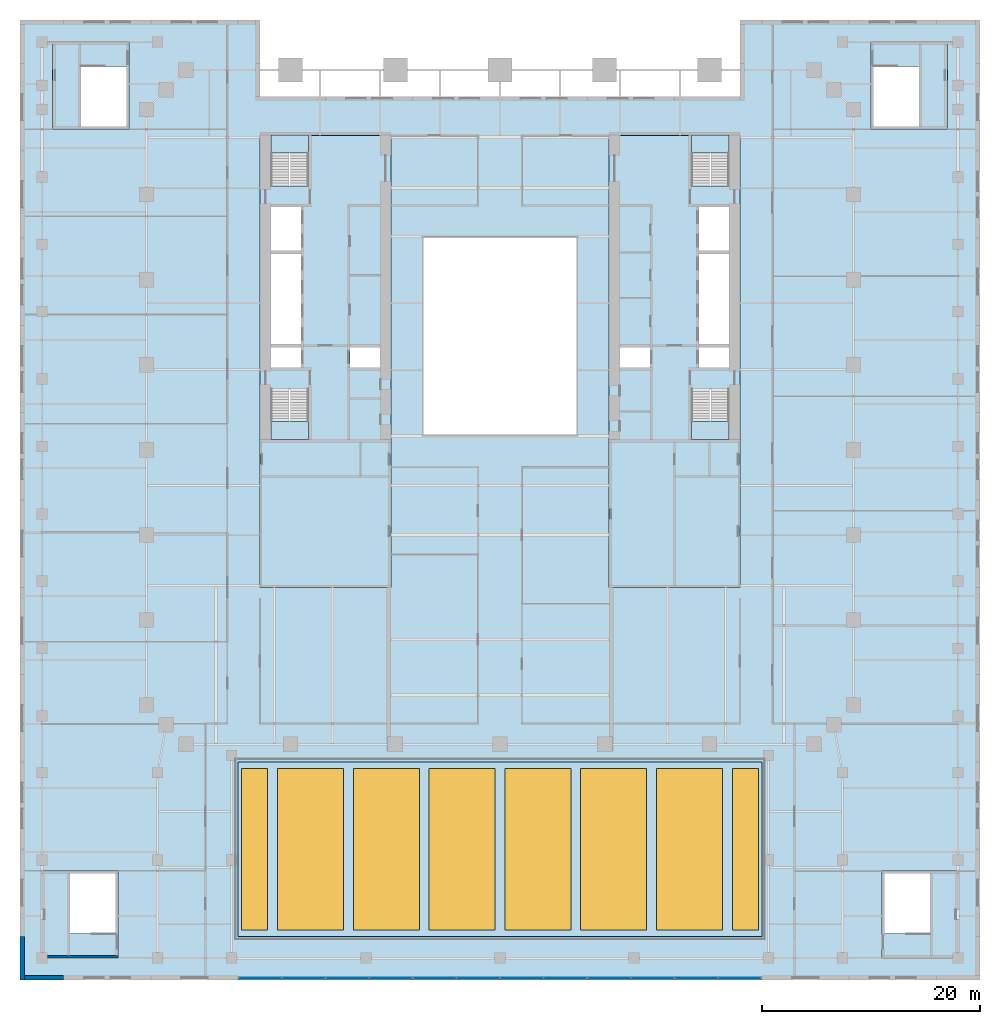
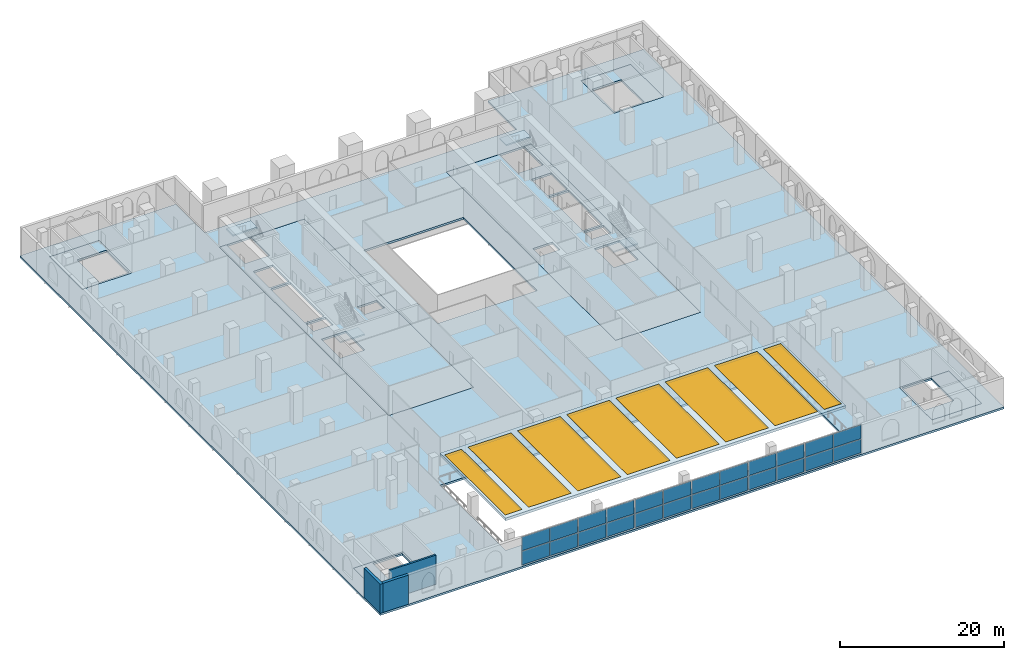
# One storey, part 7 of 18: 24 plates, 12 slabs, 8 windows, 3 walls, 8 openings, 10 elements without a shape of their own.
"""IFC4 building model written with IfcOpenShell, lengths in metres."""

from ifc_helpers import new_model, si_unit, direction, frame, frame_2d, origin, origin_2d, place, context, subcontext, project, spatial, polyline, rectangle, outline, extrude, material, layer, layer_set, type_object, element, fill, aggregate, save


model = new_model("IFC4")

# Units and contexts
model_context = context("Model", 3, precision=1e-05, world=origin(), true_north=direction((0.0, 1.0)))
body_context = subcontext(model_context, "Body", "Model", "MODEL_VIEW")
ifc_project = project(units=[si_unit("LENGTHUNIT", "METRE"), si_unit("AREAUNIT", "SQUARE_METRE"), si_unit("VOLUMEUNIT", "CUBIC_METRE"), si_unit("PLANEANGLEUNIT", "RADIAN"), si_unit("MASSUNIT", "GRAM", prefix="KILO")], contexts=[model_context])

# Site, building, storey
site_placement = place(None, origin())
site = spatial("IfcSite", under=ifc_project, at=site_placement, CompositionType="ELEMENT")
building_placement = place(site_placement, origin())
building = spatial("IfcBuilding", under=site, at=building_placement, Name="Ogive Exchange Tower", CompositionType="ELEMENT")
storey_placement = place(building_placement, frame((0.0, 0.0, 28.800048828125)))
storey = spatial("IfcBuildingStorey", under=building, at=storey_placement, Name="L05", CompositionType="ELEMENT", Elevation=28.800048828125)

# Slabs
ifc_material_1 = material(Name="Concrete C50/60", Category="concrete")
ifc_layer_1 = layer(ifc_material_1, 0.300048828125)
ifc_layer_set_1 = layer_set([ifc_layer_1], Name="Composite floor slab 300")
slab_type_1 = type_object("IfcSlabType", Name="Composite floor slab 300", PredefinedType="FLOOR", material=ifc_layer_set_1)
slab_1_placement = place(storey_placement, frame((0.0, 0.0, -0.300048828125)))
element("IfcSlab", 1, at=slab_1_placement, inside=storey, type_object=slab_type_1, Name="Composite floor slab", PredefinedType="FLOOR", context=body_context, shape_type="SweptSolid", body=[
    extrude(outline(polyline([(44.0, -52.0), (-44.0, -52.0), (-44.0, 36.0), (-22.0, 36.0), (-22.0, 29.0), (22.0, 29.0), (22.0, 36.0), (44.0, 36.0), (44.0, -52.0)]), holes=[polyline([(-42.0, -42.0), (-42.0, -50.0), (-35.0, -50.0), (-35.0, -42.0), (-42.0, -42.0)]), polyline([(35.0, -42.0), (35.0, -50.0), (42.0, -50.0), (42.0, -42.0), (35.0, -42.0)]), polyline([(-24.0, -32.0), (-24.0, -48.0), (24.0, -48.0), (24.0, -32.0), (-24.0, -32.0)]), polyline([(-22.0, 25.39990234375), (-22.0, -16.0), (-10.0, -16.0), (-10.0, 25.39990234375), (-22.0, 25.39990234375)]), polyline([(10.0, 25.39990234375), (10.0, -16.0), (22.0, -16.0), (22.0, 25.39990234375), (10.0, 25.39990234375)]), polyline([(-7.0, 16.0), (-7.0, -2.0), (7.0, -2.0), (7.0, 16.0), (-7.0, 16.0)]), polyline([(-41.0, 34.0), (-41.0, 26.0), (-34.0, 26.0), (-34.0, 34.0), (-41.0, 34.0)]), polyline([(34.0, 34.0), (34.0, 26.0), (41.0, 26.0), (41.0, 34.0), (34.0, 34.0)])]), origin(), (0.0, 0.0, 1.0), 0.300048828125),
])
ifc_material_2 = material(Name="Concrete C70/85", Category="concrete")
ifc_layer_2 = layer(ifc_material_2, 0.300048828125)
ifc_layer_set_2 = layer_set([ifc_layer_2], Name="Core floor slab 300")
slab_type_2 = type_object("IfcSlabType", Name="Core floor slab 300", PredefinedType="FLOOR", material=ifc_layer_set_2)
slab_2_placement = place(storey_placement, frame((0.0, 0.0, -0.300048828125)))
element("IfcSlab", 2, at=slab_2_placement, inside=storey, type_object=slab_type_2, Name="Core floor slab", PredefinedType="FLOOR", context=body_context, shape_type="SweptSolid", body=[
    extrude(outline(polyline([(-10.0, 25.39990234375), (-10.0, -16.0), (-22.0, -16.0), (-22.0, 25.39990234375), (-21.0, 25.39990234375), (-21.0, 20.803955078125), (-17.550048828125, 20.803955078125), (-17.550048828125, 25.39990234375), (-10.0, 25.39990234375)]), holes=[polyline([(-17.550048828125, 2.196044921875), (-21.0, 2.196044921875), (-21.0, -2.449951171875), (-17.550048828125, -2.449951171875), (-17.550048828125, 2.196044921875)]), polyline([(-18.25, 5.992919921875), (-21.0, 5.992919921875), (-21.0, 4.14990234375), (-18.25, 4.14990234375), (-18.25, 5.992919921875)]), polyline([(-11.0, 5.992919921875), (-13.75, 5.992919921875), (-13.75, 4.14990234375), (-11.0, 4.14990234375), (-11.0, 5.992919921875)]), polyline([(-21.0, 14.564208984375), (-21.0, 6.29296875), (-18.25, 6.29296875), (-18.25, 14.564208984375), (-21.0, 14.564208984375)]), polyline([(-18.25, 18.85009765625), (-21.0, 18.85009765625), (-21.0, 14.8642578125), (-18.25, 14.8642578125), (-18.25, 18.85009765625)])]), origin(), (0.0, 0.0, 1.0), 0.300048828125),
])
slab_3_placement = place(storey_placement, frame((0.0, 0.0, -0.300048828125)))
element("IfcSlab", 3, at=slab_3_placement, inside=storey, type_object=slab_type_2, Name="Core floor slab", PredefinedType="FLOOR", context=body_context, shape_type="SweptSolid", body=[
    extrude(outline(polyline([(22.0, 25.39990234375), (22.0, -16.0), (10.0, -16.0), (10.0, 25.39990234375), (17.550048828125, 25.39990234375), (17.550048828125, 20.803955078125), (21.0, 20.803955078125), (21.0, 25.39990234375), (22.0, 25.39990234375)]), holes=[polyline([(21.0, 2.196044921875), (17.550048828125, 2.196044921875), (17.550048828125, -2.449951171875), (21.0, -2.449951171875), (21.0, 2.196044921875)]), polyline([(13.75, 5.992919921875), (11.0, 5.992919921875), (11.0, 4.14990234375), (13.75, 4.14990234375), (13.75, 5.992919921875)]), polyline([(21.0, 5.992919921875), (18.25, 5.992919921875), (18.25, 4.14990234375), (21.0, 4.14990234375), (21.0, 5.992919921875)]), polyline([(18.25, 14.564208984375), (18.25, 6.29296875), (21.0, 6.29296875), (21.0, 14.564208984375), (18.25, 14.564208984375)]), polyline([(21.0, 18.85009765625), (18.25, 18.85009765625), (18.25, 14.8642578125), (21.0, 14.8642578125), (21.0, 18.85009765625)])]), origin(), (0.0, 0.0, 1.0), 0.300048828125),
])
slab_4_placement = place(storey_placement, frame((0.0, 0.0, -0.300048828125)))
element("IfcSlab", 4, at=slab_4_placement, inside=storey, type_object=slab_type_2, Name="Core floor slab", PredefinedType="FLOOR", context=body_context, shape_type="SweptSolid", body=[
    extrude(outline(polyline([(-42.0, -50.0), (-42.0, -42.0), (-35.0, -42.0), (-35.0, -50.0), (-42.0, -50.0)]), holes=[polyline([(-35.25, -42.25), (-39.39990234375, -42.25), (-39.39990234375, -47.74609375), (-35.25, -47.74609375), (-35.25, -42.25)])]), origin(), (0.0, 0.0, 1.0), 0.300048828125),
])
slab_5_placement = place(storey_placement, frame((0.0, 0.0, -0.300048828125)))
element("IfcSlab", 5, at=slab_5_placement, inside=storey, type_object=slab_type_2, Name="Core floor slab", PredefinedType="FLOOR", context=body_context, shape_type="SweptSolid", body=[
    extrude(outline(polyline([(35.0, -50.0), (35.0, -42.0), (42.0, -42.0), (42.0, -50.0), (35.0, -50.0)]), holes=[polyline([(39.39990234375, -42.25), (35.25, -42.25), (35.25, -47.74609375), (39.39990234375, -47.74609375), (39.39990234375, -42.25)])]), origin(), (0.0, 0.0, 1.0), 0.300048828125),
])
slab_6_placement = place(storey_placement, frame((0.0, 0.0, -0.300048828125)))
element("IfcSlab", 6, at=slab_6_placement, inside=storey, type_object=slab_type_2, Name="Core floor slab", PredefinedType="FLOOR", context=body_context, shape_type="SweptSolid", body=[
    extrude(outline(polyline([(-41.0, 26.0), (-41.0, 34.0), (-34.0, 34.0), (-34.0, 26.0), (-41.0, 26.0)]), holes=[polyline([(-38.39990234375, 26.25), (-34.25, 26.25), (-34.25, 31.74609375), (-38.39990234375, 31.74609375), (-38.39990234375, 26.25)])]), origin(), (0.0, 0.0, 1.0), 0.300048828125),
])
slab_7_placement = place(storey_placement, frame((0.0, 0.0, -0.300048828125)))
element("IfcSlab", 7, at=slab_7_placement, inside=storey, type_object=slab_type_2, Name="Core floor slab", PredefinedType="FLOOR", context=body_context, shape_type="SweptSolid", body=[
    extrude(outline(polyline([(34.0, 26.0), (34.0, 34.0), (41.0, 34.0), (41.0, 26.0), (34.0, 26.0)]), holes=[polyline([(34.25, 26.25), (38.39990234375, 26.25), (38.39990234375, 31.74609375), (34.25, 31.74609375), (34.25, 26.25)])]), origin(), (0.0, 0.0, 1.0), 0.300048828125),
])

# Slab, openings, windows
ifc_material_3 = material(Name="Precast concrete C40/50", Category="concrete")
ifc_layer_3 = layer(ifc_material_3, 0.39990234375)
ifc_layer_set_3 = layer_set([ifc_layer_3], Name="Galleria roof slab 400")
slab_type_3 = type_object("IfcSlabType", Name="Galleria roof slab 400", PredefinedType="ROOF", material=ifc_layer_set_3)
slab_8_placement = place(storey_placement, frame((0.0, 0.0, 4.39990234375)))
slab_8 = element("IfcSlab", 8, at=slab_8_placement, inside=storey, type_object=slab_type_3, Name="Galleria roof", PredefinedType="ROOF", context=body_context, shape_type="SweptSolid", body=[
    extrude(outline(polyline([(-24.0, -48.0), (24.0, -48.0), (24.0, -32.0), (-24.0, -32.0), (-24.0, -48.0)])), origin(), (0.0, 0.0, 1.0), 0.400146484375),
])
opening_1_placement = place(slab_8_placement, frame((-22.5, -40.0, 0.0)))
opening_1 = element("IfcOpeningElement", 9, at=opening_1_placement, cuts=slab_8, Name="Opening SK3", PredefinedType="OPENING", context=body_context, shape_type="SweptSolid", body=[
    extrude(rectangle(XDim=2.39990234375, YDim=14.800048828125, at=origin_2d()), frame((0.0, 0.0, -0.010009765625)), (0.0, 0.0, 1.0), 0.420166015625),
])
opening_2_placement = place(slab_8_placement, frame((-17.375, -40.0, 0.0)))
opening_2 = element("IfcOpeningElement", 10, at=opening_2_placement, cuts=slab_8, Name="Opening SK1", PredefinedType="OPENING", context=body_context, shape_type="SweptSolid", body=[
    extrude(rectangle(XDim=6.050048828125, YDim=14.800048828125, at=origin_2d()), frame((0.0, 0.0, -0.010009765625)), (0.0, 0.0, 1.0), 0.420166015625),
])
opening_3_placement = place(slab_8_placement, frame((-10.425048828125, -40.0, 0.0)))
opening_3 = element("IfcOpeningElement", 11, at=opening_3_placement, cuts=slab_8, Name="Opening SK1", PredefinedType="OPENING", context=body_context, shape_type="SweptSolid", body=[
    extrude(rectangle(XDim=6.050048828125, YDim=14.800048828125, at=origin_2d()), frame((0.0, 0.0, -0.010009765625)), (0.0, 0.0, 1.0), 0.420166015625),
])
opening_4_placement = place(slab_8_placement, frame((-3.47509765625, -40.0, 0.0)))
opening_4 = element("IfcOpeningElement", 12, at=opening_4_placement, cuts=slab_8, Name="Opening SK1", PredefinedType="OPENING", context=body_context, shape_type="SweptSolid", body=[
    extrude(rectangle(XDim=6.050048828125, YDim=14.800048828125, at=origin_2d()), frame((0.0, 0.0, -0.010009765625)), (0.0, 0.0, 1.0), 0.420166015625),
])
opening_5_placement = place(slab_8_placement, frame((3.47509765625, -40.0, 0.0)))
opening_5 = element("IfcOpeningElement", 13, at=opening_5_placement, cuts=slab_8, Name="Opening SK1", PredefinedType="OPENING", context=body_context, shape_type="SweptSolid", body=[
    extrude(rectangle(XDim=6.050048828125, YDim=14.800048828125, at=origin_2d()), frame((0.0, 0.0, -0.010009765625)), (0.0, 0.0, 1.0), 0.420166015625),
])
opening_6_placement = place(slab_8_placement, frame((10.425048828125, -40.0, 0.0)))
opening_6 = element("IfcOpeningElement", 14, at=opening_6_placement, cuts=slab_8, Name="Opening SK1", PredefinedType="OPENING", context=body_context, shape_type="SweptSolid", body=[
    extrude(rectangle(XDim=6.050048828125, YDim=14.800048828125, at=origin_2d()), frame((0.0, 0.0, -0.010009765625)), (0.0, 0.0, 1.0), 0.420166015625),
])
opening_7_placement = place(slab_8_placement, frame((17.375, -40.0, 0.0)))
opening_7 = element("IfcOpeningElement", 15, at=opening_7_placement, cuts=slab_8, Name="Opening SK1", PredefinedType="OPENING", context=body_context, shape_type="SweptSolid", body=[
    extrude(rectangle(XDim=6.050048828125, YDim=14.800048828125, at=origin_2d()), frame((0.0, 0.0, -0.010009765625)), (0.0, 0.0, 1.0), 0.420166015625),
])
opening_8_placement = place(slab_8_placement, frame((22.5, -40.0, 0.0)))
opening_8 = element("IfcOpeningElement", 16, at=opening_8_placement, cuts=slab_8, Name="Opening SK3", PredefinedType="OPENING", context=body_context, shape_type="SweptSolid", body=[
    extrude(rectangle(XDim=2.39990234375, YDim=14.800048828125, at=origin_2d()), frame((0.0, 0.0, -0.010009765625)), (0.0, 0.0, 1.0), 0.420166015625),
])
ifc_material_4 = material(Name="Laminated clear glass in bronze frame", Category="glass")
ifc_layer_4 = layer(ifc_material_4, 0.06005859375)
ifc_layer_set_4 = layer_set([ifc_layer_4], Name="Galleria end skylight")
window_type_1 = type_object("IfcWindowType", Name="Galleria end skylight", PartitioningType="DOUBLE_PANEL_VERTICAL", PredefinedType="SKYLIGHT", material=ifc_layer_set_4)
window_1_placement = place(opening_1_placement, frame((0.0, 0.0, 0.35009765625)))
window_1 = element("IfcWindow", 17, at=window_1_placement, inside=storey, type_object=window_type_1, Name="SKYLIGHT 1", OverallHeight=14.800048828125, OverallWidth=2.39990234375, PartitioningType="SINGLE_PANEL", PredefinedType="SKYLIGHT", context=body_context, shape_type="SweptSolid", body=[
    extrude(rectangle(XDim=2.39990234375, YDim=14.800048828125, at=origin_2d()), origin(), (0.0, 0.0, 1.0), 0.050048828125),
])
fill(opening_1, window_1)
window_2_placement = place(opening_8_placement, frame((0.0, 0.0, 0.35009765625)))
window_2 = element("IfcWindow", 18, at=window_2_placement, inside=storey, type_object=window_type_1, Name="SKYLIGHT 8", OverallHeight=14.800048828125, OverallWidth=2.39990234375, PartitioningType="SINGLE_PANEL", PredefinedType="SKYLIGHT", context=body_context, shape_type="SweptSolid", body=[
    extrude(rectangle(XDim=2.39990234375, YDim=14.800048828125, at=origin_2d()), origin(), (0.0, 0.0, 1.0), 0.050048828125),
])
fill(opening_8, window_2)
ifc_layer_5 = layer(ifc_material_4, 0.06005859375)
ifc_layer_set_5 = layer_set([ifc_layer_5], Name="Galleria skylight")
window_type_2 = type_object("IfcWindowType", Name="Galleria skylight", PartitioningType="DOUBLE_PANEL_VERTICAL", PredefinedType="SKYLIGHT", material=ifc_layer_set_5)
window_3_placement = place(opening_2_placement, frame((0.0, 0.0, 0.35009765625)))
window_3 = element("IfcWindow", 19, at=window_3_placement, inside=storey, type_object=window_type_2, Name="SKYLIGHT 2", OverallHeight=14.800048828125, OverallWidth=6.050048828125, PartitioningType="SINGLE_PANEL", PredefinedType="SKYLIGHT", context=body_context, shape_type="SweptSolid", body=[
    extrude(rectangle(XDim=6.050048828125, YDim=14.800048828125, at=origin_2d()), origin(), (0.0, 0.0, 1.0), 0.050048828125),
])
fill(opening_2, window_3)
window_4_placement = place(opening_3_placement, frame((0.0, 0.0, 0.35009765625)))
window_4 = element("IfcWindow", 20, at=window_4_placement, inside=storey, type_object=window_type_2, Name="SKYLIGHT 3", OverallHeight=14.800048828125, OverallWidth=6.050048828125, PartitioningType="SINGLE_PANEL", PredefinedType="SKYLIGHT", context=body_context, shape_type="SweptSolid", body=[
    extrude(rectangle(XDim=6.050048828125, YDim=14.800048828125, at=origin_2d()), origin(), (0.0, 0.0, 1.0), 0.050048828125),
])
fill(opening_3, window_4)
window_5_placement = place(opening_4_placement, frame((0.0, 0.0, 0.35009765625)))
window_5 = element("IfcWindow", 21, at=window_5_placement, inside=storey, type_object=window_type_2, Name="SKYLIGHT 4", OverallHeight=14.800048828125, OverallWidth=6.050048828125, PartitioningType="SINGLE_PANEL", PredefinedType="SKYLIGHT", context=body_context, shape_type="SweptSolid", body=[
    extrude(rectangle(XDim=6.050048828125, YDim=14.800048828125, at=origin_2d()), origin(), (0.0, 0.0, 1.0), 0.050048828125),
])
fill(opening_4, window_5)
window_6_placement = place(opening_5_placement, frame((0.0, 0.0, 0.35009765625)))
window_6 = element("IfcWindow", 22, at=window_6_placement, inside=storey, type_object=window_type_2, Name="SKYLIGHT 5", OverallHeight=14.800048828125, OverallWidth=6.050048828125, PartitioningType="SINGLE_PANEL", PredefinedType="SKYLIGHT", context=body_context, shape_type="SweptSolid", body=[
    extrude(rectangle(XDim=6.050048828125, YDim=14.800048828125, at=origin_2d()), origin(), (0.0, 0.0, 1.0), 0.050048828125),
])
fill(opening_5, window_6)
window_7_placement = place(opening_6_placement, frame((0.0, 0.0, 0.35009765625)))
window_7 = element("IfcWindow", 23, at=window_7_placement, inside=storey, type_object=window_type_2, Name="SKYLIGHT 6", OverallHeight=14.800048828125, OverallWidth=6.050048828125, PartitioningType="SINGLE_PANEL", PredefinedType="SKYLIGHT", context=body_context, shape_type="SweptSolid", body=[
    extrude(rectangle(XDim=6.050048828125, YDim=14.800048828125, at=origin_2d()), origin(), (0.0, 0.0, 1.0), 0.050048828125),
])
fill(opening_6, window_7)
window_8_placement = place(opening_7_placement, frame((0.0, 0.0, 0.35009765625)))
window_8 = element("IfcWindow", 24, at=window_8_placement, inside=storey, type_object=window_type_2, Name="SKYLIGHT 7", OverallHeight=14.800048828125, OverallWidth=6.050048828125, PartitioningType="SINGLE_PANEL", PredefinedType="SKYLIGHT", context=body_context, shape_type="SweptSolid", body=[
    extrude(rectangle(XDim=6.050048828125, YDim=14.800048828125, at=origin_2d()), origin(), (0.0, 0.0, 1.0), 0.050048828125),
])
fill(opening_7, window_8)

# Curtain wall, plates
ifc_material_5 = material(Name="Anodised aluminium and clear glass", Category="aluminium")
curtain_wall_type = type_object("IfcCurtainWallType", Name="Galleria end wall glazing", PredefinedType="NOTDEFINED", material=ifc_material_5)
curtain_wall_1_placement = place(storey_placement, origin())
curtain_wall_1 = element("IfcCurtainWall", 25, at=curtain_wall_1_placement, inside=storey, type_object=curtain_wall_type, Name="Galleria end wall glazing run GE4", PredefinedType="NOTDEFINED")
ifc_material_6 = material(Name="Clear glass", Category="glass")
ifc_layer_6 = layer(ifc_material_6, 0.0400390625)
ifc_layer_set_6 = layer_set([ifc_layer_6], Name="Laminated clear glass panel 40")
plate_type = type_object("IfcPlateType", Name="Laminated clear glass panel 40", PredefinedType="CURTAIN_PANEL", material=ifc_layer_set_6)
plate_1_placement = place(storey_placement, frame((-21.97998046875, -51.800048828125, 0.080078125), z_axis=(0.0, 0.0, 1.0), x_axis=(1.0, 0.0, 0.0)))
plate_1 = element("IfcPlate", 26, at=plate_1_placement, type_object=plate_type, Name="GE4 panel 1.1", PredefinedType="CURTAIN_PANEL", context=body_context, shape_type="SweptSolid", body=[
    extrude(rectangle(XDim=3.8798828125, YDim=0.0400390625, at=origin_2d()), origin(), (0.0, 0.0, 1.0), 2.054931640625),
])
plate_2_placement = place(storey_placement, frame((-21.97998046875, -51.800048828125, 2.21484375), z_axis=(0.0, 0.0, 1.0), x_axis=(1.0, 0.0, 0.0)))
plate_2 = element("IfcPlate", 27, at=plate_2_placement, type_object=plate_type, Name="GE4 panel 1.2", PredefinedType="CURTAIN_PANEL", context=body_context, shape_type="SweptSolid", body=[
    extrude(rectangle(XDim=3.8798828125, YDim=0.0400390625, at=origin_2d()), origin(), (0.0, 0.0, 1.0), 2.054931640625),
])
plate_3_placement = place(storey_placement, frame((-18.02001953125, -51.800048828125, 0.080078125), z_axis=(0.0, 0.0, 1.0), x_axis=(1.0, 0.0, 0.0)))
plate_3 = element("IfcPlate", 28, at=plate_3_placement, type_object=plate_type, Name="GE4 panel 2.1", PredefinedType="CURTAIN_PANEL", context=body_context, shape_type="SweptSolid", body=[
    extrude(rectangle(XDim=3.8798828125, YDim=0.0400390625, at=origin_2d()), origin(), (0.0, 0.0, 1.0), 2.054931640625),
])
plate_4_placement = place(storey_placement, frame((-18.02001953125, -51.800048828125, 2.21484375), z_axis=(0.0, 0.0, 1.0), x_axis=(1.0, 0.0, 0.0)))
plate_4 = element("IfcPlate", 29, at=plate_4_placement, type_object=plate_type, Name="GE4 panel 2.2", PredefinedType="CURTAIN_PANEL", context=body_context, shape_type="SweptSolid", body=[
    extrude(rectangle(XDim=3.8798828125, YDim=0.0400390625, at=origin_2d()), origin(), (0.0, 0.0, 1.0), 2.054931640625),
])
aggregate(curtain_wall_1, [plate_1, plate_2, plate_3, plate_4])

curtain_wall_2_placement = place(storey_placement, origin())
curtain_wall_2 = element("IfcCurtainWall", 30, at=curtain_wall_2_placement, inside=storey, type_object=curtain_wall_type, Name="Galleria end wall glazing run GE5", PredefinedType="NOTDEFINED")
plate_5_placement = place(storey_placement, frame((-13.97998046875, -51.800048828125, 0.080078125), z_axis=(0.0, 0.0, 1.0), x_axis=(1.0, 0.0, 0.0)))
plate_5 = element("IfcPlate", 31, at=plate_5_placement, type_object=plate_type, Name="GE5 panel 1.1", PredefinedType="CURTAIN_PANEL", context=body_context, shape_type="SweptSolid", body=[
    extrude(rectangle(XDim=3.8798828125, YDim=0.0400390625, at=origin_2d()), origin(), (0.0, 0.0, 1.0), 2.054931640625),
])
plate_6_placement = place(storey_placement, frame((-13.97998046875, -51.800048828125, 2.21484375), z_axis=(0.0, 0.0, 1.0), x_axis=(1.0, 0.0, 0.0)))
plate_6 = element("IfcPlate", 32, at=plate_6_placement, type_object=plate_type, Name="GE5 panel 1.2", PredefinedType="CURTAIN_PANEL", context=body_context, shape_type="SweptSolid", body=[
    extrude(rectangle(XDim=3.8798828125, YDim=0.0400390625, at=origin_2d()), origin(), (0.0, 0.0, 1.0), 2.054931640625),
])
plate_7_placement = place(storey_placement, frame((-10.02001953125, -51.800048828125, 0.080078125), z_axis=(0.0, 0.0, 1.0), x_axis=(1.0, 0.0, 0.0)))
plate_7 = element("IfcPlate", 33, at=plate_7_placement, type_object=plate_type, Name="GE5 panel 2.1", PredefinedType="CURTAIN_PANEL", context=body_context, shape_type="SweptSolid", body=[
    extrude(rectangle(XDim=3.8798828125, YDim=0.0400390625, at=origin_2d()), origin(), (0.0, 0.0, 1.0), 2.054931640625),
])
plate_8_placement = place(storey_placement, frame((-10.02001953125, -51.800048828125, 2.21484375), z_axis=(0.0, 0.0, 1.0), x_axis=(1.0, 0.0, 0.0)))
plate_8 = element("IfcPlate", 34, at=plate_8_placement, type_object=plate_type, Name="GE5 panel 2.2", PredefinedType="CURTAIN_PANEL", context=body_context, shape_type="SweptSolid", body=[
    extrude(rectangle(XDim=3.8798828125, YDim=0.0400390625, at=origin_2d()), origin(), (0.0, 0.0, 1.0), 2.054931640625),
])
aggregate(curtain_wall_2, [plate_5, plate_6, plate_7, plate_8])

curtain_wall_3_placement = place(storey_placement, origin())
curtain_wall_3 = element("IfcCurtainWall", 35, at=curtain_wall_3_placement, inside=storey, type_object=curtain_wall_type, Name="Galleria end wall glazing run GE6", PredefinedType="NOTDEFINED")
plate_9_placement = place(storey_placement, frame((-5.97998046875, -51.800048828125, 0.080078125), z_axis=(0.0, 0.0, 1.0), x_axis=(1.0, 0.0, 0.0)))
plate_9 = element("IfcPlate", 36, at=plate_9_placement, type_object=plate_type, Name="GE6 panel 1.1", PredefinedType="CURTAIN_PANEL", context=body_context, shape_type="SweptSolid", body=[
    extrude(rectangle(XDim=3.8798828125, YDim=0.0400390625, at=origin_2d()), origin(), (0.0, 0.0, 1.0), 2.054931640625),
])
plate_10_placement = place(storey_placement, frame((-5.97998046875, -51.800048828125, 2.21484375), z_axis=(0.0, 0.0, 1.0), x_axis=(1.0, 0.0, 0.0)))
plate_10 = element("IfcPlate", 37, at=plate_10_placement, type_object=plate_type, Name="GE6 panel 1.2", PredefinedType="CURTAIN_PANEL", context=body_context, shape_type="SweptSolid", body=[
    extrude(rectangle(XDim=3.8798828125, YDim=0.0400390625, at=origin_2d()), origin(), (0.0, 0.0, 1.0), 2.054931640625),
])
plate_11_placement = place(storey_placement, frame((-2.02001953125, -51.800048828125, 0.080078125), z_axis=(0.0, 0.0, 1.0), x_axis=(1.0, 0.0, 0.0)))
plate_11 = element("IfcPlate", 38, at=plate_11_placement, type_object=plate_type, Name="GE6 panel 2.1", PredefinedType="CURTAIN_PANEL", context=body_context, shape_type="SweptSolid", body=[
    extrude(rectangle(XDim=3.8798828125, YDim=0.0400390625, at=origin_2d()), origin(), (0.0, 0.0, 1.0), 2.054931640625),
])
plate_12_placement = place(storey_placement, frame((-2.02001953125, -51.800048828125, 2.21484375), z_axis=(0.0, 0.0, 1.0), x_axis=(1.0, 0.0, 0.0)))
plate_12 = element("IfcPlate", 39, at=plate_12_placement, type_object=plate_type, Name="GE6 panel 2.2", PredefinedType="CURTAIN_PANEL", context=body_context, shape_type="SweptSolid", body=[
    extrude(rectangle(XDim=3.8798828125, YDim=0.0400390625, at=origin_2d()), origin(), (0.0, 0.0, 1.0), 2.054931640625),
])
aggregate(curtain_wall_3, [plate_9, plate_10, plate_11, plate_12])

curtain_wall_4_placement = place(storey_placement, origin())
curtain_wall_4 = element("IfcCurtainWall", 40, at=curtain_wall_4_placement, inside=storey, type_object=curtain_wall_type, Name="Galleria end wall glazing run GE7", PredefinedType="NOTDEFINED")
plate_13_placement = place(storey_placement, frame((2.02001953125, -51.800048828125, 0.080078125), z_axis=(0.0, 0.0, 1.0), x_axis=(1.0, 0.0, 0.0)))
plate_13 = element("IfcPlate", 41, at=plate_13_placement, type_object=plate_type, Name="GE7 panel 1.1", PredefinedType="CURTAIN_PANEL", context=body_context, shape_type="SweptSolid", body=[
    extrude(rectangle(XDim=3.8798828125, YDim=0.0400390625, at=origin_2d()), origin(), (0.0, 0.0, 1.0), 2.054931640625),
])
plate_14_placement = place(storey_placement, frame((2.02001953125, -51.800048828125, 2.21484375), z_axis=(0.0, 0.0, 1.0), x_axis=(1.0, 0.0, 0.0)))
plate_14 = element("IfcPlate", 42, at=plate_14_placement, type_object=plate_type, Name="GE7 panel 1.2", PredefinedType="CURTAIN_PANEL", context=body_context, shape_type="SweptSolid", body=[
    extrude(rectangle(XDim=3.8798828125, YDim=0.0400390625, at=origin_2d()), origin(), (0.0, 0.0, 1.0), 2.054931640625),
])
plate_15_placement = place(storey_placement, frame((5.97998046875, -51.800048828125, 0.080078125), z_axis=(0.0, 0.0, 1.0), x_axis=(1.0, 0.0, 0.0)))
plate_15 = element("IfcPlate", 43, at=plate_15_placement, type_object=plate_type, Name="GE7 panel 2.1", PredefinedType="CURTAIN_PANEL", context=body_context, shape_type="SweptSolid", body=[
    extrude(rectangle(XDim=3.8798828125, YDim=0.0400390625, at=origin_2d()), origin(), (0.0, 0.0, 1.0), 2.054931640625),
])
plate_16_placement = place(storey_placement, frame((5.97998046875, -51.800048828125, 2.21484375), z_axis=(0.0, 0.0, 1.0), x_axis=(1.0, 0.0, 0.0)))
plate_16 = element("IfcPlate", 44, at=plate_16_placement, type_object=plate_type, Name="GE7 panel 2.2", PredefinedType="CURTAIN_PANEL", context=body_context, shape_type="SweptSolid", body=[
    extrude(rectangle(XDim=3.8798828125, YDim=0.0400390625, at=origin_2d()), origin(), (0.0, 0.0, 1.0), 2.054931640625),
])
aggregate(curtain_wall_4, [plate_13, plate_14, plate_15, plate_16])

curtain_wall_5_placement = place(storey_placement, origin())
curtain_wall_5 = element("IfcCurtainWall", 45, at=curtain_wall_5_placement, inside=storey, type_object=curtain_wall_type, Name="Galleria end wall glazing run GE8", PredefinedType="NOTDEFINED")
plate_17_placement = place(storey_placement, frame((10.02001953125, -51.800048828125, 0.080078125), z_axis=(0.0, 0.0, 1.0), x_axis=(1.0, 0.0, 0.0)))
plate_17 = element("IfcPlate", 46, at=plate_17_placement, type_object=plate_type, Name="GE8 panel 1.1", PredefinedType="CURTAIN_PANEL", context=body_context, shape_type="SweptSolid", body=[
    extrude(rectangle(XDim=3.8798828125, YDim=0.0400390625, at=origin_2d()), origin(), (0.0, 0.0, 1.0), 2.054931640625),
])
plate_18_placement = place(storey_placement, frame((10.02001953125, -51.800048828125, 2.21484375), z_axis=(0.0, 0.0, 1.0), x_axis=(1.0, 0.0, 0.0)))
plate_18 = element("IfcPlate", 47, at=plate_18_placement, type_object=plate_type, Name="GE8 panel 1.2", PredefinedType="CURTAIN_PANEL", context=body_context, shape_type="SweptSolid", body=[
    extrude(rectangle(XDim=3.8798828125, YDim=0.0400390625, at=origin_2d()), origin(), (0.0, 0.0, 1.0), 2.054931640625),
])
plate_19_placement = place(storey_placement, frame((13.97998046875, -51.800048828125, 0.080078125), z_axis=(0.0, 0.0, 1.0), x_axis=(1.0, 0.0, 0.0)))
plate_19 = element("IfcPlate", 48, at=plate_19_placement, type_object=plate_type, Name="GE8 panel 2.1", PredefinedType="CURTAIN_PANEL", context=body_context, shape_type="SweptSolid", body=[
    extrude(rectangle(XDim=3.8798828125, YDim=0.0400390625, at=origin_2d()), origin(), (0.0, 0.0, 1.0), 2.054931640625),
])
plate_20_placement = place(storey_placement, frame((13.97998046875, -51.800048828125, 2.21484375), z_axis=(0.0, 0.0, 1.0), x_axis=(1.0, 0.0, 0.0)))
plate_20 = element("IfcPlate", 49, at=plate_20_placement, type_object=plate_type, Name="GE8 panel 2.2", PredefinedType="CURTAIN_PANEL", context=body_context, shape_type="SweptSolid", body=[
    extrude(rectangle(XDim=3.8798828125, YDim=0.0400390625, at=origin_2d()), origin(), (0.0, 0.0, 1.0), 2.054931640625),
])
aggregate(curtain_wall_5, [plate_17, plate_18, plate_19, plate_20])

curtain_wall_6_placement = place(storey_placement, origin())
curtain_wall_6 = element("IfcCurtainWall", 50, at=curtain_wall_6_placement, inside=storey, type_object=curtain_wall_type, Name="Galleria end wall glazing run GE9", PredefinedType="NOTDEFINED")
plate_21_placement = place(storey_placement, frame((18.02001953125, -51.800048828125, 0.080078125), z_axis=(0.0, 0.0, 1.0), x_axis=(1.0, 0.0, 0.0)))
plate_21 = element("IfcPlate", 51, at=plate_21_placement, type_object=plate_type, Name="GE9 panel 1.1", PredefinedType="CURTAIN_PANEL", context=body_context, shape_type="SweptSolid", body=[
    extrude(rectangle(XDim=3.8798828125, YDim=0.0400390625, at=origin_2d()), origin(), (0.0, 0.0, 1.0), 2.054931640625),
])
plate_22_placement = place(storey_placement, frame((18.02001953125, -51.800048828125, 2.21484375), z_axis=(0.0, 0.0, 1.0), x_axis=(1.0, 0.0, 0.0)))
plate_22 = element("IfcPlate", 52, at=plate_22_placement, type_object=plate_type, Name="GE9 panel 1.2", PredefinedType="CURTAIN_PANEL", context=body_context, shape_type="SweptSolid", body=[
    extrude(rectangle(XDim=3.8798828125, YDim=0.0400390625, at=origin_2d()), origin(), (0.0, 0.0, 1.0), 2.054931640625),
])
plate_23_placement = place(storey_placement, frame((21.97998046875, -51.800048828125, 0.080078125), z_axis=(0.0, 0.0, 1.0), x_axis=(1.0, 0.0, 0.0)))
plate_23 = element("IfcPlate", 53, at=plate_23_placement, type_object=plate_type, Name="GE9 panel 2.1", PredefinedType="CURTAIN_PANEL", context=body_context, shape_type="SweptSolid", body=[
    extrude(rectangle(XDim=3.8798828125, YDim=0.0400390625, at=origin_2d()), origin(), (0.0, 0.0, 1.0), 2.054931640625),
])
plate_24_placement = place(storey_placement, frame((21.97998046875, -51.800048828125, 2.21484375), z_axis=(0.0, 0.0, 1.0), x_axis=(1.0, 0.0, 0.0)))
plate_24 = element("IfcPlate", 54, at=plate_24_placement, type_object=plate_type, Name="GE9 panel 2.2", PredefinedType="CURTAIN_PANEL", context=body_context, shape_type="SweptSolid", body=[
    extrude(rectangle(XDim=3.8798828125, YDim=0.0400390625, at=origin_2d()), origin(), (0.0, 0.0, 1.0), 2.054931640625),
])
aggregate(curtain_wall_6, [plate_21, plate_22, plate_23, plate_24])

# Stair, slab
ifc_material_7 = material(Name="Concrete C40/50", Category="concrete")
stair_type = type_object("IfcStairType", Name="Exit stair 1650 wide", PredefinedType="HALF_TURN_STAIR", material=ifc_material_7)
stair_1_placement = place(storey_placement, origin())
stair_1 = element("IfcStair", 55, at=stair_1_placement, inside=storey, type_object=stair_type, Name="L05 exit stair ST1", PredefinedType="HALF_TURN_STAIR")
ifc_layer_7 = layer(ifc_material_7, 0.199951171875)
ifc_layer_set_7 = layer_set([ifc_layer_7], Name="Stair landing 200 slab")
slab_type_4 = type_object("IfcSlabType", Name="Stair landing 200 slab", PredefinedType="LANDING", material=ifc_layer_set_7)
slab_9_placement = place(storey_placement, frame((0.0, 0.0, 2.199951171875)))
slab_9 = element("IfcSlab", 56, at=slab_9_placement, type_object=slab_type_4, Name="ST1 landing 1", PredefinedType="LANDING", context=body_context, shape_type="SweptSolid", body=[
    extrude(outline(polyline([(-21.0, -0.800048828125), (-21.0, -2.449951171875), (-17.550048828125, -2.449951171875), (-17.550048828125, -0.800048828125), (-21.0, -0.800048828125)])), origin(), (0.0, 0.0, 1.0), 0.199951171875),
])
aggregate(stair_1, [slab_9])

stair_2_placement = place(storey_placement, origin())
stair_2 = element("IfcStair", 57, at=stair_2_placement, inside=storey, type_object=stair_type, Name="L05 exit stair ST2", PredefinedType="HALF_TURN_STAIR")
slab_10_placement = place(storey_placement, frame((0.0, 0.0, 2.199951171875)))
slab_10 = element("IfcSlab", 58, at=slab_10_placement, type_object=slab_type_4, Name="ST2 landing 1", PredefinedType="LANDING", context=body_context, shape_type="SweptSolid", body=[
    extrude(outline(polyline([(-17.550048828125, 23.800048828125), (-17.550048828125, 25.449951171875), (-21.0, 25.449951171875), (-21.0, 23.800048828125), (-17.550048828125, 23.800048828125)])), origin(), (0.0, 0.0, 1.0), 0.199951171875),
])
aggregate(stair_2, [slab_10])

stair_3_placement = place(storey_placement, origin())
stair_3 = element("IfcStair", 59, at=stair_3_placement, inside=storey, type_object=stair_type, Name="L05 exit stair ST3", PredefinedType="HALF_TURN_STAIR")
slab_11_placement = place(storey_placement, frame((0.0, 0.0, 2.199951171875)))
slab_11 = element("IfcSlab", 60, at=slab_11_placement, type_object=slab_type_4, Name="ST3 landing 1", PredefinedType="LANDING", context=body_context, shape_type="SweptSolid", body=[
    extrude(outline(polyline([(17.550048828125, -0.800048828125), (17.550048828125, -2.449951171875), (21.0, -2.449951171875), (21.0, -0.800048828125), (17.550048828125, -0.800048828125)])), origin(), (0.0, 0.0, 1.0), 0.199951171875),
])
aggregate(stair_3, [slab_11])

stair_4_placement = place(storey_placement, origin())
stair_4 = element("IfcStair", 61, at=stair_4_placement, inside=storey, type_object=stair_type, Name="L05 exit stair ST4", PredefinedType="HALF_TURN_STAIR")
slab_12_placement = place(storey_placement, frame((0.0, 0.0, 2.199951171875)))
slab_12 = element("IfcSlab", 62, at=slab_12_placement, type_object=slab_type_4, Name="ST4 landing 1", PredefinedType="LANDING", context=body_context, shape_type="SweptSolid", body=[
    extrude(outline(polyline([(21.0, 23.800048828125), (21.0, 25.449951171875), (17.550048828125, 25.449951171875), (17.550048828125, 23.800048828125), (21.0, 23.800048828125)])), origin(), (0.0, 0.0, 1.0), 0.199951171875),
])
aggregate(stair_4, [slab_12])

# Walls
ifc_layer_8 = layer(ifc_material_3, 0.39990234375)
ifc_layer_set_8 = layer_set([ifc_layer_8], Name="Limestone-faced wall 400")
wall_type_1 = type_object("IfcWallType", Name="Limestone-faced wall 400", PredefinedType="STANDARD", material=ifc_layer_set_8)
wall_1_placement = place(storey_placement, frame((-43.60009765625, -51.800048828125, 0.0), z_axis=(0.0, 0.0, 1.0), x_axis=(1.0, 0.0, 0.0)))
element("IfcWall", 63, at=wall_1_placement, inside=storey, type_object=wall_type_1, Name="Podium wall S1", PredefinedType="STANDARD", context=body_context, shape_type="SweptSolid", body=[
    extrude(rectangle(XDim=3.60009765625, YDim=0.39990234375, at=frame_2d((1.800048828125, 0.0))), origin(), (0.0, 0.0, 1.0), 4.349853515625),
])
wall_2_placement = place(storey_placement, frame((-43.800048828125, -48.0, 0.0), z_axis=(0.0, 0.0, 1.0), x_axis=(0.0, -1.0, 0.0)))
element("IfcWall", 64, at=wall_2_placement, inside=storey, type_object=wall_type_1, Name="Podium wall W12", PredefinedType="STANDARD", context=body_context, shape_type="SweptSolid", body=[
    extrude(rectangle(XDim=4.0, YDim=0.39990234375, at=frame_2d((2.0, 0.0))), origin(), (0.0, 0.0, 1.0), 4.349853515625),
])
ifc_layer_9 = layer(ifc_material_2, 0.25)
ifc_layer_set_9 = layer_set([ifc_layer_9], Name="RC core wall 250 C70/85")
wall_type_2 = type_object("IfcWallType", Name="RC core wall 250 C70/85", PredefinedType="SHEAR", material=ifc_layer_set_9)
wall_3_placement = place(storey_placement, frame((-41.5, -49.875, 0.0), z_axis=(0.0, 0.0, 1.0), x_axis=(1.0, 0.0, 0.0)))
element("IfcWall", 65, at=wall_3_placement, inside=storey, type_object=wall_type_2, Name="PS1 south wall", PredefinedType="SHEAR", context=body_context, shape_type="SweptSolid", body=[
    extrude(rectangle(XDim=6.5, YDim=0.25, at=frame_2d((3.25, 0.0))), origin(), (0.0, 0.0, 1.0), 4.349853515625),
])

save(model, "model.ifc")
